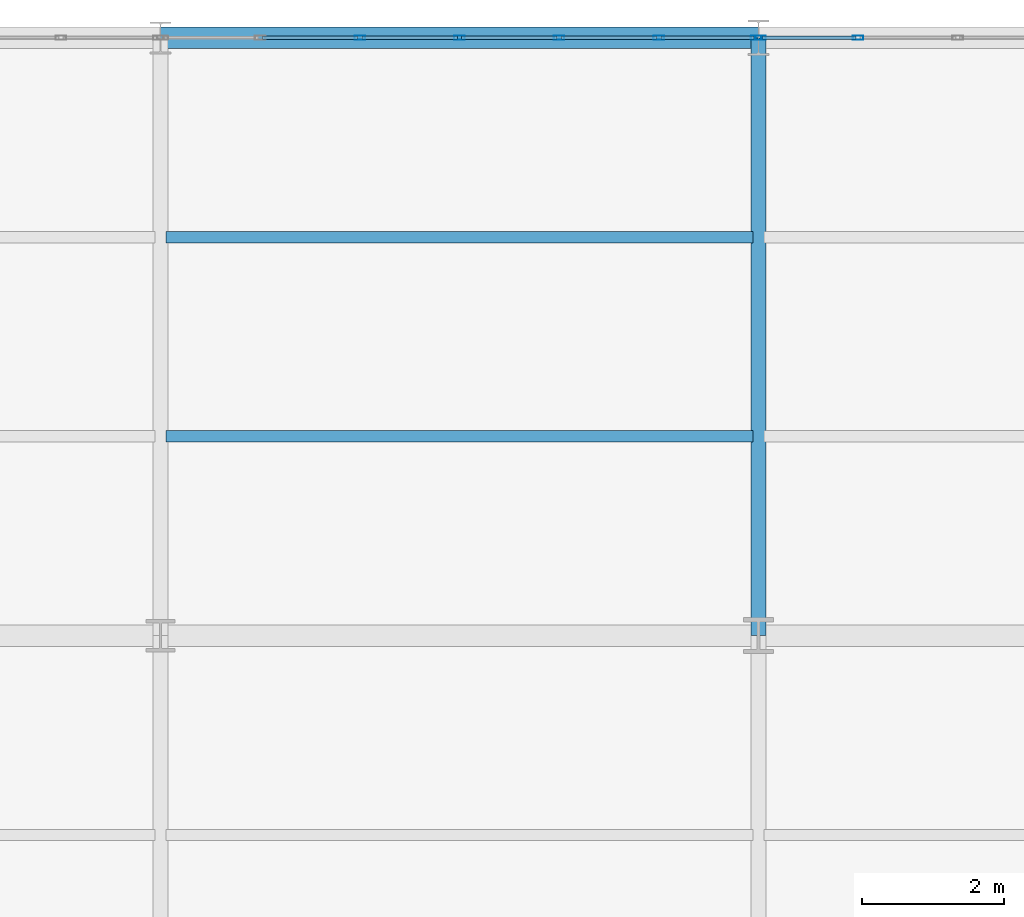
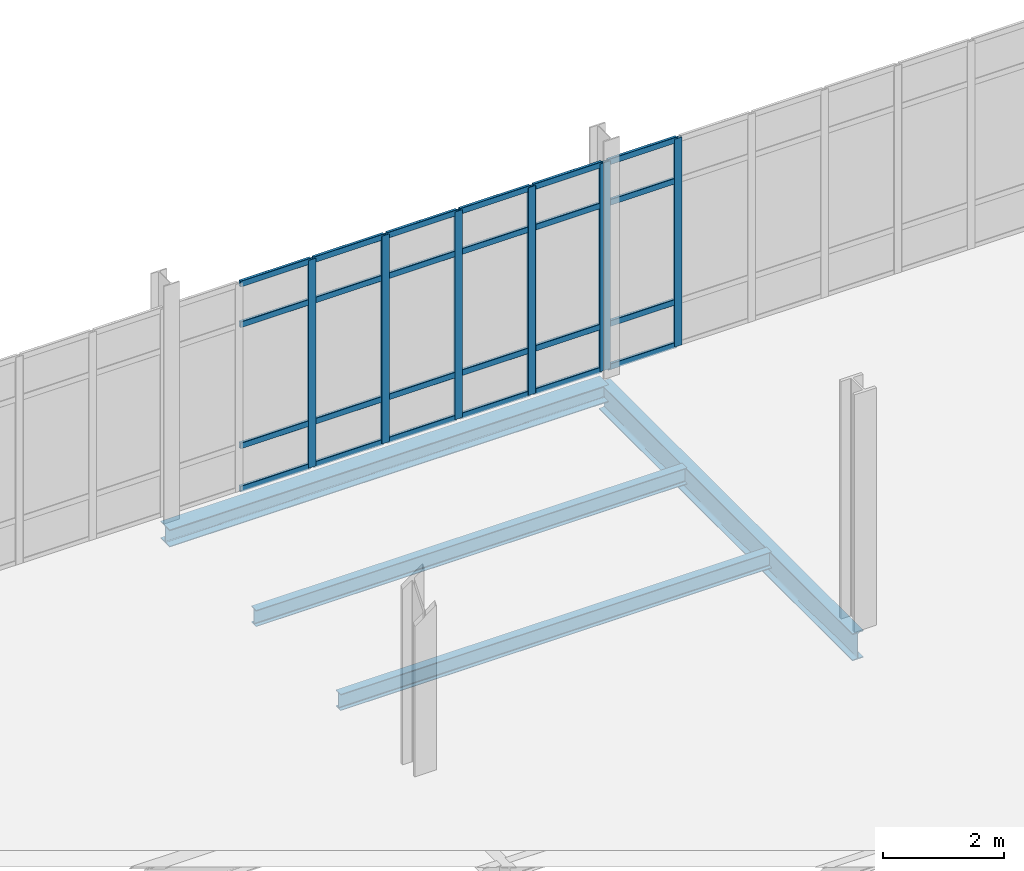
# One storey, part 85 of 145: 31 members, 4 beams, 2 elements without a shape of their own.
"""IFC4 building model written with IfcOpenShell, lengths in metres."""

from ifc_helpers import new_model, si_unit, direction, frame, origin, origin_2d, place, context, subcontext, project, spatial, hollow_rectangle, i_section, extrude, material, layer, layer_set, material_profile, profile_set, type_object, element, aggregate, save


model = new_model("IFC4")

# Units and contexts
model_context = context("Model", 3, precision=1e-05, world=origin(), true_north=direction((0.0, 1.0)))
body_context = subcontext(model_context, "Body", "Model", "MODEL_VIEW")
ifc_project = project(units=[si_unit("LENGTHUNIT", "METRE"), si_unit("AREAUNIT", "SQUARE_METRE"), si_unit("VOLUMEUNIT", "CUBIC_METRE"), si_unit("PLANEANGLEUNIT", "RADIAN"), si_unit("MASSUNIT", "GRAM", prefix="KILO")], contexts=[model_context])

# Site, building, storey
site_placement = place(None, origin())
site = spatial("IfcSite", under=ifc_project, at=site_placement, CompositionType="ELEMENT")
building_placement = place(site_placement, origin())
building = spatial("IfcBuilding", under=site, at=building_placement, Name="Qalvenar Corner Mobility Hub", CompositionType="ELEMENT")
storey_placement = place(building_placement, origin())
storey = spatial("IfcBuildingStorey", under=building, at=storey_placement, Name="L00", CompositionType="ELEMENT", Elevation=0.0)

# Beams
ifc_material_1 = material(Name="Steel S355", Category="steel")
ifc_material_profile_1 = material_profile(ifc_material_1, i_section(OverallWidth=0.2099609375, OverallDepth=0.550048828125, WebThickness=0.010986328125, FlangeThickness=0.01708984375, FilletRadius=0.02392578125, at=origin_2d()), Name="IPE550")
ifc_profile_set_1 = profile_set([ifc_material_profile_1], Name="Steel S355")
beam_type_1 = type_object("IfcBeamType", Name="BM-IPE550", PredefinedType="BEAM", material=ifc_profile_set_1)
beam_1_placement = place(storey_placement, frame((84.0, 109.199951171875, -0.4951171875), z_axis=(0.0, 1.0, 0.0), x_axis=(-1.0, 0.0, 0.0)))
element("IfcBeam", 1, at=beam_1_placement, inside=storey, type_object=beam_type_1, Name="Primary Steel Girder GY-0610", PredefinedType="BEAM", context=body_context, shape_type="SweptSolid", body=[
    extrude(i_section(OverallWidth=0.2099609375, OverallDepth=0.550048828125, WebThickness=0.010986328125, FlangeThickness=0.01708984375, FilletRadius=0.02392578125, at=origin_2d()), origin(), (0.0, 0.0, 1.0), 8.400146484375),
])
ifc_material_profile_2 = material_profile(ifc_material_1, i_section(OverallWidth=0.159912109375, OverallDepth=0.330078125, WebThickness=0.007568359375, FlangeThickness=0.011474609375, FilletRadius=0.01806640625, at=origin_2d()), Name="IPE330")
ifc_profile_set_2 = profile_set([ifc_material_profile_2], Name="Steel S355")
beam_type_2 = type_object("IfcBeamType", Name="BM-JST330", PredefinedType="JOIST", material=ifc_profile_set_2)
for number, where, z_axis, x_axis, name in (
    (2, (75.677978515625, 112.0, -0.385009765625), (1.0, 0.0, 0.0), (0.0, 1.0, 0.0), "Composite Floor Joist J-0679"),
    (3, (75.677978515625, 114.800048828125, -0.385009765625), (1.0, 0.0, 0.0), (0.0, 1.0, 0.0), "Composite Floor Joist J-0680"),
):
    element("IfcBeam", number, at=place(storey_placement, frame(where, z_axis=z_axis, x_axis=x_axis)), inside=storey, type_object=beam_type_2, Name=name, PredefinedType="JOIST", context=body_context, shape_type="SweptSolid", body=[
        extrude(i_section(OverallWidth=0.159912109375, OverallDepth=0.330078125, WebThickness=0.007568359375, FlangeThickness=0.011474609375, FilletRadius=0.01806640625, at=origin_2d()), origin(), (0.0, 0.0, 1.0), 8.244140625),
    ])
ifc_material_profile_3 = material_profile(ifc_material_1, i_section(OverallWidth=0.300048828125, OverallDepth=0.35009765625, WebThickness=0.010009765625, FlangeThickness=0.017578125, FilletRadius=0.027099609375, at=origin_2d()), Name="HEA360")
ifc_profile_set_3 = profile_set([ifc_material_profile_3], Name="Steel S355")
beam_type_3 = type_object("IfcBeamType", Name="BM-SPN360", PredefinedType="SPANDREL", material=ifc_profile_set_3)
beam_2_placement = place(storey_placement, frame((75.60009765625, 117.60009765625, -0.39501953125), z_axis=(1.0, 0.0, 0.0), x_axis=(0.0, 1.0, 0.0)))
element("IfcBeam", 4, at=beam_2_placement, inside=storey, type_object=beam_type_3, Name="Primary Steel Girder GX-0582", PredefinedType="SPANDREL", context=body_context, shape_type="SweptSolid", body=[
    extrude(i_section(OverallWidth=0.300048828125, OverallDepth=0.35009765625, WebThickness=0.010009765625, FlangeThickness=0.017578125, FilletRadius=0.027099609375, at=origin_2d()), origin(), (0.0, 0.0, 1.0), 8.39990234375),
])

# Curtain wall, members
ifc_material_2 = material(Name="Anodised Aluminium and Low-E Glazing", Category="aluminium")
ifc_layer = layer(ifc_material_2, 0.14990234375)
ifc_layer_set = layer_set([ifc_layer], Name="Anodised Aluminium and Low-E Glazing")
curtain_wall_type = type_object("IfcCurtainWallType", Name="CW-MOB-84X46", PredefinedType="NOTDEFINED", material=ifc_layer_set)
curtain_wall_1_placement = place(storey_placement, origin())
curtain_wall_1 = element("IfcCurtainWall", 5, at=curtain_wall_1_placement, inside=storey, type_object=curtain_wall_type, Name="Glazed Curtain Wall CW-V4-L00-N2", PredefinedType="NOTDEFINED")
ifc_material_3 = material(Name="Anodised Aluminium 6063-T6", Category="aluminium")
ifc_material_profile_4 = material_profile(ifc_material_3, hollow_rectangle(XDim=0.06005859375, YDim=0.14990234375, WallThickness=0.00390625, InnerFilletRadius=0.00390625, OuterFilletRadius=0.008056640625, at=origin_2d()), Name="RHS150x60x4")
ifc_profile_set_4 = profile_set([ifc_material_profile_4], Name="Anodised Aluminium 6063-T6")
member_type_1 = type_object("IfcMemberType", Name="CW-MUL150", PredefinedType="MULLION", material=ifc_profile_set_4)
member_1_placement = place(storey_placement, frame((83.969970703125, 117.60009765625, 0.0), z_axis=(0.0, 0.0, 1.0), x_axis=(0.0, -1.0, 0.0)))
member_1 = element("IfcMember", 6, at=member_1_placement, type_object=member_type_1, Name="CW-03 mullion 1", PredefinedType="MULLION", context=body_context, shape_type="SweptSolid", body=[
    extrude(hollow_rectangle(XDim=0.06005859375, YDim=0.14990234375, WallThickness=0.00390625, InnerFilletRadius=0.00390625, OuterFilletRadius=0.008056640625, at=origin_2d()), origin(), (0.0, 0.0, 1.0), 4.199951171875),
])
member_2_placement = place(storey_placement, frame((82.60009765625, 117.60009765625, 0.0), z_axis=(0.0, 0.0, 1.0), x_axis=(0.0, -1.0, 0.0)))
member_2 = element("IfcMember", 7, at=member_2_placement, type_object=member_type_1, Name="CW-03 mullion 2", PredefinedType="MULLION", context=body_context, shape_type="SweptSolid", body=[
    extrude(hollow_rectangle(XDim=0.06005859375, YDim=0.14990234375, WallThickness=0.00390625, InnerFilletRadius=0.00390625, OuterFilletRadius=0.008056640625, at=origin_2d()), origin(), (0.0, 0.0, 1.0), 4.199951171875),
])
member_3_placement = place(storey_placement, frame((81.199951171875, 117.60009765625, 0.0), z_axis=(0.0, 0.0, 1.0), x_axis=(0.0, -1.0, 0.0)))
member_3 = element("IfcMember", 8, at=member_3_placement, type_object=member_type_1, Name="CW-03 mullion 3", PredefinedType="MULLION", context=body_context, shape_type="SweptSolid", body=[
    extrude(hollow_rectangle(XDim=0.06005859375, YDim=0.14990234375, WallThickness=0.00390625, InnerFilletRadius=0.00390625, OuterFilletRadius=0.008056640625, at=origin_2d()), origin(), (0.0, 0.0, 1.0), 4.199951171875),
])
member_4_placement = place(storey_placement, frame((79.800048828125, 117.60009765625, 0.0), z_axis=(0.0, 0.0, 1.0), x_axis=(0.0, -1.0, 0.0)))
member_4 = element("IfcMember", 9, at=member_4_placement, type_object=member_type_1, Name="CW-03 mullion 4", PredefinedType="MULLION", context=body_context, shape_type="SweptSolid", body=[
    extrude(hollow_rectangle(XDim=0.06005859375, YDim=0.14990234375, WallThickness=0.00390625, InnerFilletRadius=0.00390625, OuterFilletRadius=0.008056640625, at=origin_2d()), origin(), (0.0, 0.0, 1.0), 4.199951171875),
])
member_5_placement = place(storey_placement, frame((78.39990234375, 117.60009765625, 0.0), z_axis=(0.0, 0.0, 1.0), x_axis=(0.0, -1.0, 0.0)))
member_5 = element("IfcMember", 10, at=member_5_placement, type_object=member_type_1, Name="CW-03 mullion 5", PredefinedType="MULLION", context=body_context, shape_type="SweptSolid", body=[
    extrude(hollow_rectangle(XDim=0.06005859375, YDim=0.14990234375, WallThickness=0.00390625, InnerFilletRadius=0.00390625, OuterFilletRadius=0.008056640625, at=origin_2d()), origin(), (0.0, 0.0, 1.0), 4.199951171875),
])

curtain_wall_2_placement = place(storey_placement, origin())
curtain_wall_2 = element("IfcCurtainWall", 11, at=curtain_wall_2_placement, inside=storey, type_object=curtain_wall_type, Name="Glazed Curtain Wall CW-V4-L00-N3", PredefinedType="NOTDEFINED")
member_6_placement = place(storey_placement, frame((85.39990234375, 117.60009765625, 0.0), z_axis=(0.0, 0.0, 1.0), x_axis=(0.0, -1.0, 0.0)))
member_6 = element("IfcMember", 12, at=member_6_placement, type_object=member_type_1, Name="CW-03 mullion 6", PredefinedType="MULLION", context=body_context, shape_type="SweptSolid", body=[
    extrude(hollow_rectangle(XDim=0.06005859375, YDim=0.14990234375, WallThickness=0.00390625, InnerFilletRadius=0.00390625, OuterFilletRadius=0.008056640625, at=origin_2d()), origin(), (0.0, 0.0, 1.0), 4.199951171875),
])
member_7_placement = place(storey_placement, frame((84.030029296875, 117.60009765625, 0.0), z_axis=(0.0, 0.0, 1.0), x_axis=(0.0, -1.0, 0.0)))
member_7 = element("IfcMember", 13, at=member_7_placement, type_object=member_type_1, Name="CW-03 mullion 7", PredefinedType="MULLION", context=body_context, shape_type="SweptSolid", body=[
    extrude(hollow_rectangle(XDim=0.06005859375, YDim=0.14990234375, WallThickness=0.00390625, InnerFilletRadius=0.00390625, OuterFilletRadius=0.008056640625, at=origin_2d()), origin(), (0.0, 0.0, 1.0), 4.199951171875),
])

# Member
ifc_material_profile_5 = material_profile(ifc_material_3, hollow_rectangle(XDim=0.054931640625, YDim=0.1201171875, WallThickness=0.00341796875, InnerFilletRadius=0.00341796875, OuterFilletRadius=0.007080078125, at=origin_2d()), Name="RHS120x55x3.5")
ifc_profile_set_5 = profile_set([ifc_material_profile_5], Name="Anodised Aluminium 6063-T6")
member_type_2 = type_object("IfcMemberType", Name="CW-TRN120", PredefinedType="USERDEFINED", material=ifc_profile_set_5)
member_8_placement = place(storey_placement, frame((83.93994140625, 117.60009765625, 0.027587890625), z_axis=(-1.0, 0.0, 0.0), x_axis=(0.0, -1.0, 0.0)))
member_8 = element("IfcMember", 14, at=member_8_placement, type_object=member_type_2, Name="CW-03 transom 1.1", ObjectType="TRANSOM", PredefinedType="USERDEFINED", context=body_context, shape_type="SweptSolid", body=[
    extrude(hollow_rectangle(XDim=0.054931640625, YDim=0.1201171875, WallThickness=0.00341796875, InnerFilletRadius=0.00341796875, OuterFilletRadius=0.007080078125, at=origin_2d()), origin(), (0.0, 0.0, 1.0), 1.31005859375),
])

member_9_placement = place(storey_placement, frame((83.93994140625, 117.60009765625, 0.89990234375), z_axis=(-1.0, 0.0, 0.0), x_axis=(0.0, -1.0, 0.0)))
member_9 = element("IfcMember", 15, at=member_9_placement, type_object=member_type_2, Name="CW-03 transom 1.2", ObjectType="TRANSOM", PredefinedType="USERDEFINED", context=body_context, shape_type="SweptSolid", body=[
    extrude(hollow_rectangle(XDim=0.054931640625, YDim=0.1201171875, WallThickness=0.00341796875, InnerFilletRadius=0.00341796875, OuterFilletRadius=0.007080078125, at=origin_2d()), origin(), (0.0, 0.0, 1.0), 1.31005859375),
])

member_10_placement = place(storey_placement, frame((83.93994140625, 117.60009765625, 3.35009765625), z_axis=(-1.0, 0.0, 0.0), x_axis=(0.0, -1.0, 0.0)))
member_10 = element("IfcMember", 16, at=member_10_placement, type_object=member_type_2, Name="CW-03 transom 1.3", ObjectType="TRANSOM", PredefinedType="USERDEFINED", context=body_context, shape_type="SweptSolid", body=[
    extrude(hollow_rectangle(XDim=0.054931640625, YDim=0.1201171875, WallThickness=0.00341796875, InnerFilletRadius=0.00341796875, OuterFilletRadius=0.007080078125, at=origin_2d()), origin(), (0.0, 0.0, 1.0), 1.31005859375),
])

member_11_placement = place(storey_placement, frame((83.93994140625, 117.60009765625, 4.172607421875), z_axis=(-1.0, 0.0, 0.0), x_axis=(0.0, -1.0, 0.0)))
member_11 = element("IfcMember", 17, at=member_11_placement, type_object=member_type_2, Name="CW-03 transom 1.4", ObjectType="TRANSOM", PredefinedType="USERDEFINED", context=body_context, shape_type="SweptSolid", body=[
    extrude(hollow_rectangle(XDim=0.054931640625, YDim=0.1201171875, WallThickness=0.00341796875, InnerFilletRadius=0.00341796875, OuterFilletRadius=0.007080078125, at=origin_2d()), origin(), (0.0, 0.0, 1.0), 1.31005859375),
])

member_12_placement = place(storey_placement, frame((82.570068359375, 117.60009765625, 0.027587890625), z_axis=(-1.0, 0.0, 0.0), x_axis=(0.0, -1.0, 0.0)))
member_12 = element("IfcMember", 18, at=member_12_placement, type_object=member_type_2, Name="CW-03 transom 2.1", ObjectType="TRANSOM", PredefinedType="USERDEFINED", context=body_context, shape_type="SweptSolid", body=[
    extrude(hollow_rectangle(XDim=0.054931640625, YDim=0.1201171875, WallThickness=0.00341796875, InnerFilletRadius=0.00341796875, OuterFilletRadius=0.007080078125, at=origin_2d()), origin(), (0.0, 0.0, 1.0), 1.340087890625),
])

member_13_placement = place(storey_placement, frame((82.570068359375, 117.60009765625, 0.89990234375), z_axis=(-1.0, 0.0, 0.0), x_axis=(0.0, -1.0, 0.0)))
member_13 = element("IfcMember", 19, at=member_13_placement, type_object=member_type_2, Name="CW-03 transom 2.2", ObjectType="TRANSOM", PredefinedType="USERDEFINED", context=body_context, shape_type="SweptSolid", body=[
    extrude(hollow_rectangle(XDim=0.054931640625, YDim=0.1201171875, WallThickness=0.00341796875, InnerFilletRadius=0.00341796875, OuterFilletRadius=0.007080078125, at=origin_2d()), origin(), (0.0, 0.0, 1.0), 1.340087890625),
])

member_14_placement = place(storey_placement, frame((82.570068359375, 117.60009765625, 3.35009765625), z_axis=(-1.0, 0.0, 0.0), x_axis=(0.0, -1.0, 0.0)))
member_14 = element("IfcMember", 20, at=member_14_placement, type_object=member_type_2, Name="CW-03 transom 2.3", ObjectType="TRANSOM", PredefinedType="USERDEFINED", context=body_context, shape_type="SweptSolid", body=[
    extrude(hollow_rectangle(XDim=0.054931640625, YDim=0.1201171875, WallThickness=0.00341796875, InnerFilletRadius=0.00341796875, OuterFilletRadius=0.007080078125, at=origin_2d()), origin(), (0.0, 0.0, 1.0), 1.340087890625),
])

member_15_placement = place(storey_placement, frame((82.570068359375, 117.60009765625, 4.172607421875), z_axis=(-1.0, 0.0, 0.0), x_axis=(0.0, -1.0, 0.0)))
member_15 = element("IfcMember", 21, at=member_15_placement, type_object=member_type_2, Name="CW-03 transom 2.4", ObjectType="TRANSOM", PredefinedType="USERDEFINED", context=body_context, shape_type="SweptSolid", body=[
    extrude(hollow_rectangle(XDim=0.054931640625, YDim=0.1201171875, WallThickness=0.00341796875, InnerFilletRadius=0.00341796875, OuterFilletRadius=0.007080078125, at=origin_2d()), origin(), (0.0, 0.0, 1.0), 1.340087890625),
])

member_16_placement = place(storey_placement, frame((81.169921875, 117.60009765625, 0.027587890625), z_axis=(-1.0, 0.0, 0.0), x_axis=(0.0, -1.0, 0.0)))
member_16 = element("IfcMember", 22, at=member_16_placement, type_object=member_type_2, Name="CW-03 transom 3.1", ObjectType="TRANSOM", PredefinedType="USERDEFINED", context=body_context, shape_type="SweptSolid", body=[
    extrude(hollow_rectangle(XDim=0.054931640625, YDim=0.1201171875, WallThickness=0.00341796875, InnerFilletRadius=0.00341796875, OuterFilletRadius=0.007080078125, at=origin_2d()), origin(), (0.0, 0.0, 1.0), 1.33984375),
])

member_17_placement = place(storey_placement, frame((81.169921875, 117.60009765625, 0.89990234375), z_axis=(-1.0, 0.0, 0.0), x_axis=(0.0, -1.0, 0.0)))
member_17 = element("IfcMember", 23, at=member_17_placement, type_object=member_type_2, Name="CW-03 transom 3.2", ObjectType="TRANSOM", PredefinedType="USERDEFINED", context=body_context, shape_type="SweptSolid", body=[
    extrude(hollow_rectangle(XDim=0.054931640625, YDim=0.1201171875, WallThickness=0.00341796875, InnerFilletRadius=0.00341796875, OuterFilletRadius=0.007080078125, at=origin_2d()), origin(), (0.0, 0.0, 1.0), 1.33984375),
])

member_18_placement = place(storey_placement, frame((81.169921875, 117.60009765625, 3.35009765625), z_axis=(-1.0, 0.0, 0.0), x_axis=(0.0, -1.0, 0.0)))
member_18 = element("IfcMember", 24, at=member_18_placement, type_object=member_type_2, Name="CW-03 transom 3.3", ObjectType="TRANSOM", PredefinedType="USERDEFINED", context=body_context, shape_type="SweptSolid", body=[
    extrude(hollow_rectangle(XDim=0.054931640625, YDim=0.1201171875, WallThickness=0.00341796875, InnerFilletRadius=0.00341796875, OuterFilletRadius=0.007080078125, at=origin_2d()), origin(), (0.0, 0.0, 1.0), 1.33984375),
])

member_19_placement = place(storey_placement, frame((81.169921875, 117.60009765625, 4.172607421875), z_axis=(-1.0, 0.0, 0.0), x_axis=(0.0, -1.0, 0.0)))
member_19 = element("IfcMember", 25, at=member_19_placement, type_object=member_type_2, Name="CW-03 transom 3.4", ObjectType="TRANSOM", PredefinedType="USERDEFINED", context=body_context, shape_type="SweptSolid", body=[
    extrude(hollow_rectangle(XDim=0.054931640625, YDim=0.1201171875, WallThickness=0.00341796875, InnerFilletRadius=0.00341796875, OuterFilletRadius=0.007080078125, at=origin_2d()), origin(), (0.0, 0.0, 1.0), 1.33984375),
])

member_20_placement = place(storey_placement, frame((79.77001953125, 117.60009765625, 0.027587890625), z_axis=(-1.0, 0.0, 0.0), x_axis=(0.0, -1.0, 0.0)))
member_20 = element("IfcMember", 26, at=member_20_placement, type_object=member_type_2, Name="CW-03 transom 4.1", ObjectType="TRANSOM", PredefinedType="USERDEFINED", context=body_context, shape_type="SweptSolid", body=[
    extrude(hollow_rectangle(XDim=0.054931640625, YDim=0.1201171875, WallThickness=0.00341796875, InnerFilletRadius=0.00341796875, OuterFilletRadius=0.007080078125, at=origin_2d()), origin(), (0.0, 0.0, 1.0), 1.340087890625),
])

member_21_placement = place(storey_placement, frame((79.77001953125, 117.60009765625, 0.89990234375), z_axis=(-1.0, 0.0, 0.0), x_axis=(0.0, -1.0, 0.0)))
member_21 = element("IfcMember", 27, at=member_21_placement, type_object=member_type_2, Name="CW-03 transom 4.2", ObjectType="TRANSOM", PredefinedType="USERDEFINED", context=body_context, shape_type="SweptSolid", body=[
    extrude(hollow_rectangle(XDim=0.054931640625, YDim=0.1201171875, WallThickness=0.00341796875, InnerFilletRadius=0.00341796875, OuterFilletRadius=0.007080078125, at=origin_2d()), origin(), (0.0, 0.0, 1.0), 1.340087890625),
])

member_22_placement = place(storey_placement, frame((79.77001953125, 117.60009765625, 3.35009765625), z_axis=(-1.0, 0.0, 0.0), x_axis=(0.0, -1.0, 0.0)))
member_22 = element("IfcMember", 28, at=member_22_placement, type_object=member_type_2, Name="CW-03 transom 4.3", ObjectType="TRANSOM", PredefinedType="USERDEFINED", context=body_context, shape_type="SweptSolid", body=[
    extrude(hollow_rectangle(XDim=0.054931640625, YDim=0.1201171875, WallThickness=0.00341796875, InnerFilletRadius=0.00341796875, OuterFilletRadius=0.007080078125, at=origin_2d()), origin(), (0.0, 0.0, 1.0), 1.340087890625),
])

member_23_placement = place(storey_placement, frame((79.77001953125, 117.60009765625, 4.172607421875), z_axis=(-1.0, 0.0, 0.0), x_axis=(0.0, -1.0, 0.0)))
member_23 = element("IfcMember", 29, at=member_23_placement, type_object=member_type_2, Name="CW-03 transom 4.4", ObjectType="TRANSOM", PredefinedType="USERDEFINED", context=body_context, shape_type="SweptSolid", body=[
    extrude(hollow_rectangle(XDim=0.054931640625, YDim=0.1201171875, WallThickness=0.00341796875, InnerFilletRadius=0.00341796875, OuterFilletRadius=0.007080078125, at=origin_2d()), origin(), (0.0, 0.0, 1.0), 1.340087890625),
])

member_24_placement = place(storey_placement, frame((78.3701171875, 117.60009765625, 0.027587890625), z_axis=(-1.0, 0.0, 0.0), x_axis=(0.0, -1.0, 0.0)))
member_24 = element("IfcMember", 30, at=member_24_placement, type_object=member_type_2, Name="CW-03 transom 5.1", ObjectType="TRANSOM", PredefinedType="USERDEFINED", context=body_context, shape_type="SweptSolid", body=[
    extrude(hollow_rectangle(XDim=0.054931640625, YDim=0.1201171875, WallThickness=0.00341796875, InnerFilletRadius=0.00341796875, OuterFilletRadius=0.007080078125, at=origin_2d()), origin(), (0.0, 0.0, 1.0), 1.340087890625),
])

member_25_placement = place(storey_placement, frame((78.3701171875, 117.60009765625, 0.89990234375), z_axis=(-1.0, 0.0, 0.0), x_axis=(0.0, -1.0, 0.0)))
member_25 = element("IfcMember", 31, at=member_25_placement, type_object=member_type_2, Name="CW-03 transom 5.2", ObjectType="TRANSOM", PredefinedType="USERDEFINED", context=body_context, shape_type="SweptSolid", body=[
    extrude(hollow_rectangle(XDim=0.054931640625, YDim=0.1201171875, WallThickness=0.00341796875, InnerFilletRadius=0.00341796875, OuterFilletRadius=0.007080078125, at=origin_2d()), origin(), (0.0, 0.0, 1.0), 1.340087890625),
])

member_26_placement = place(storey_placement, frame((78.3701171875, 117.60009765625, 3.35009765625), z_axis=(-1.0, 0.0, 0.0), x_axis=(0.0, -1.0, 0.0)))
member_26 = element("IfcMember", 32, at=member_26_placement, type_object=member_type_2, Name="CW-03 transom 5.3", ObjectType="TRANSOM", PredefinedType="USERDEFINED", context=body_context, shape_type="SweptSolid", body=[
    extrude(hollow_rectangle(XDim=0.054931640625, YDim=0.1201171875, WallThickness=0.00341796875, InnerFilletRadius=0.00341796875, OuterFilletRadius=0.007080078125, at=origin_2d()), origin(), (0.0, 0.0, 1.0), 1.340087890625),
])

member_27_placement = place(storey_placement, frame((78.3701171875, 117.60009765625, 4.172607421875), z_axis=(-1.0, 0.0, 0.0), x_axis=(0.0, -1.0, 0.0)))
member_27 = element("IfcMember", 33, at=member_27_placement, type_object=member_type_2, Name="CW-03 transom 5.4", ObjectType="TRANSOM", PredefinedType="USERDEFINED", context=body_context, shape_type="SweptSolid", body=[
    extrude(hollow_rectangle(XDim=0.054931640625, YDim=0.1201171875, WallThickness=0.00341796875, InnerFilletRadius=0.00341796875, OuterFilletRadius=0.007080078125, at=origin_2d()), origin(), (0.0, 0.0, 1.0), 1.340087890625),
])

aggregate(curtain_wall_1, [member_1, member_2, member_3, member_4, member_5, member_8, member_9, member_10, member_11, member_12, member_13, member_14, member_15, member_16, member_17, member_18, member_19, member_20, member_21, member_22, member_23, member_24, member_25, member_26, member_27])

member_28_placement = place(storey_placement, frame((85.3701171875, 117.60009765625, 0.027587890625), z_axis=(-1.0, 0.0, 0.0), x_axis=(0.0, -1.0, 0.0)))
member_28 = element("IfcMember", 34, at=member_28_placement, type_object=member_type_2, Name="CW-03 transom 6.1", ObjectType="TRANSOM", PredefinedType="USERDEFINED", context=body_context, shape_type="SweptSolid", body=[
    extrude(hollow_rectangle(XDim=0.054931640625, YDim=0.1201171875, WallThickness=0.00341796875, InnerFilletRadius=0.00341796875, OuterFilletRadius=0.007080078125, at=origin_2d()), origin(), (0.0, 0.0, 1.0), 1.31005859375),
])

member_29_placement = place(storey_placement, frame((85.3701171875, 117.60009765625, 0.89990234375), z_axis=(-1.0, 0.0, 0.0), x_axis=(0.0, -1.0, 0.0)))
member_29 = element("IfcMember", 35, at=member_29_placement, type_object=member_type_2, Name="CW-03 transom 6.2", ObjectType="TRANSOM", PredefinedType="USERDEFINED", context=body_context, shape_type="SweptSolid", body=[
    extrude(hollow_rectangle(XDim=0.054931640625, YDim=0.1201171875, WallThickness=0.00341796875, InnerFilletRadius=0.00341796875, OuterFilletRadius=0.007080078125, at=origin_2d()), origin(), (0.0, 0.0, 1.0), 1.31005859375),
])

member_30_placement = place(storey_placement, frame((85.3701171875, 117.60009765625, 3.35009765625), z_axis=(-1.0, 0.0, 0.0), x_axis=(0.0, -1.0, 0.0)))
member_30 = element("IfcMember", 36, at=member_30_placement, type_object=member_type_2, Name="CW-03 transom 6.3", ObjectType="TRANSOM", PredefinedType="USERDEFINED", context=body_context, shape_type="SweptSolid", body=[
    extrude(hollow_rectangle(XDim=0.054931640625, YDim=0.1201171875, WallThickness=0.00341796875, InnerFilletRadius=0.00341796875, OuterFilletRadius=0.007080078125, at=origin_2d()), origin(), (0.0, 0.0, 1.0), 1.31005859375),
])

member_31_placement = place(storey_placement, frame((85.3701171875, 117.60009765625, 4.172607421875), z_axis=(-1.0, 0.0, 0.0), x_axis=(0.0, -1.0, 0.0)))
member_31 = element("IfcMember", 37, at=member_31_placement, type_object=member_type_2, Name="CW-03 transom 6.4", ObjectType="TRANSOM", PredefinedType="USERDEFINED", context=body_context, shape_type="SweptSolid", body=[
    extrude(hollow_rectangle(XDim=0.054931640625, YDim=0.1201171875, WallThickness=0.00341796875, InnerFilletRadius=0.00341796875, OuterFilletRadius=0.007080078125, at=origin_2d()), origin(), (0.0, 0.0, 1.0), 1.31005859375),
])

aggregate(curtain_wall_2, [member_6, member_7, member_28, member_29, member_30, member_31])

save(model, "model.ifc")
